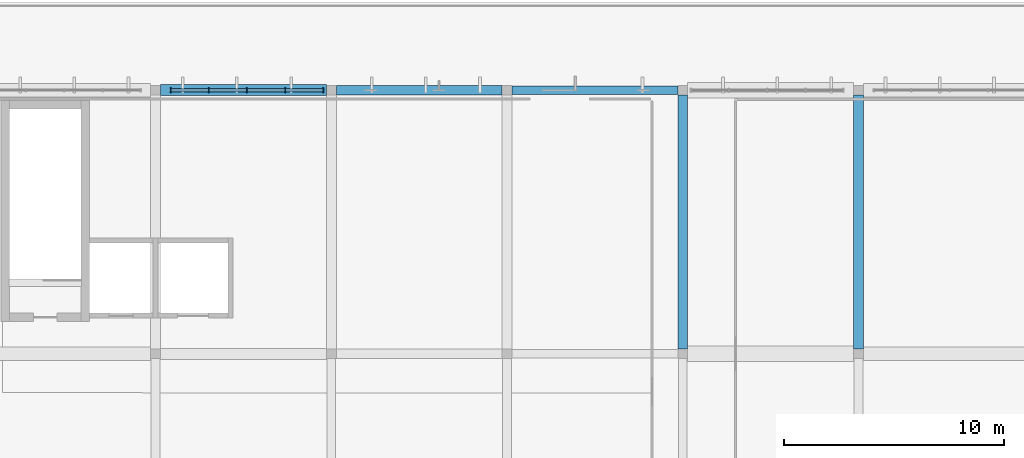
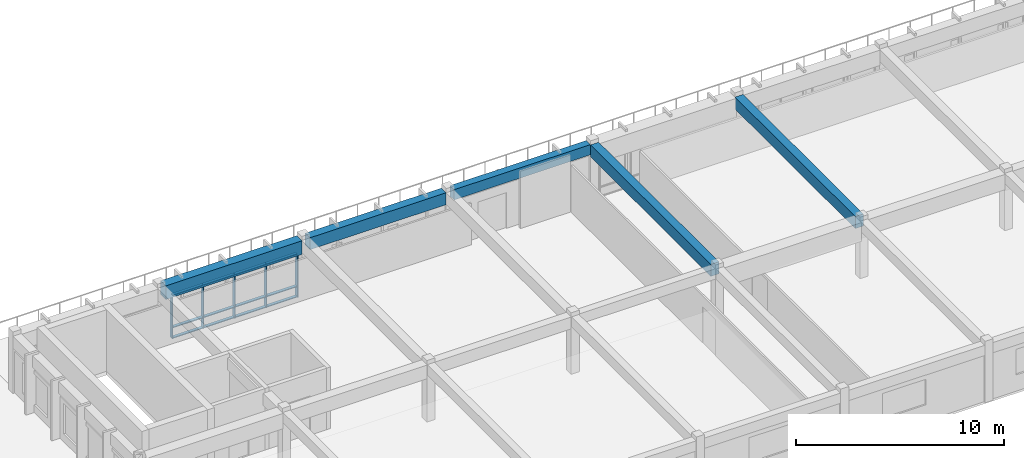
# One storey, part 20 of 77: 17 members, 5 beams, 1 element without a shape of its own.
"""IFC4 building model written with IfcOpenShell, lengths in metres."""

from ifc_helpers import new_model, si_unit, direction, frame, origin, origin_2d, place, context, subcontext, project, spatial, rectangle, extrude, material, material_profile, profile_set, type_object, element, aggregate, save


model = new_model("IFC4")

# Units and contexts
model_context = context("Model", 3, precision=1e-05, world=origin(), true_north=direction((0.0, 1.0)))
body_context = subcontext(model_context, "Body", "Model", "MODEL_VIEW")
ifc_project = project(units=[si_unit("LENGTHUNIT", "METRE"), si_unit("AREAUNIT", "SQUARE_METRE"), si_unit("VOLUMEUNIT", "CUBIC_METRE"), si_unit("PLANEANGLEUNIT", "RADIAN"), si_unit("MASSUNIT", "GRAM", prefix="KILO")], contexts=[model_context])

# Site, building, storey
site_placement = place(None, origin())
site = spatial("IfcSite", under=ifc_project, at=site_placement, CompositionType="ELEMENT")
building_placement = place(site_placement, origin())
building = spatial("IfcBuilding", under=site, at=building_placement, Name="Larkveld Mobility Hub", CompositionType="ELEMENT")
storey_placement = place(building_placement, frame((0.0, 0.0, 12.0)))
storey = spatial("IfcBuildingStorey", under=building, at=storey_placement, Name="L03", CompositionType="ELEMENT", Elevation=12.0)

# Beams
ifc_material_1 = material(Name="Concrete C40/50", Category="concrete")
ifc_material_profile_1 = material_profile(ifc_material_1, rectangle(XDim=0.39990234375, YDim=0.60009765625, at=origin_2d()), Name="RC BM 400x600")
ifc_profile_set_1 = profile_set([ifc_material_profile_1], Name="Concrete C40/50")
beam_type_1 = type_object("IfcBeamType", Name="BM-RC4060", PredefinedType="BEAM", material=ifc_profile_set_1)
beam_1_placement = place(storey_placement, frame((48.22509765625, 122.0, 3.06005859375), z_axis=(1.0, 0.0, 0.0), x_axis=(0.0, 1.0, 0.0)))
element("IfcBeam", 1, at=beam_1_placement, inside=storey, type_object=beam_type_1, Name="Primary E-W Girder L03-0766", PredefinedType="BEAM", context=body_context, shape_type="SweptSolid", body=[
    extrude(rectangle(XDim=0.39990234375, YDim=0.60009765625, at=origin_2d()), origin(), (0.0, 0.0, 1.0), 7.5498046875),
])
ifc_material_profile_2 = material_profile(ifc_material_1, rectangle(XDim=0.449951171875, YDim=0.699951171875, at=origin_2d()), Name="RC BM 450x700")
ifc_profile_set_2 = profile_set([ifc_material_profile_2], Name="Concrete C40/50")
beam_type_2 = type_object("IfcBeamType", Name="BM-RC4570", PredefinedType="BEAM", material=ifc_profile_set_2)
beam_2_placement = place(storey_placement, frame((40.22509765625, 122.0, 3.010009765625), z_axis=(1.0, 0.0, 0.0), x_axis=(0.0, 1.0, 0.0)))
element("IfcBeam", 2, at=beam_2_placement, inside=storey, type_object=beam_type_2, Name="Primary E-W Girder L03-0765", PredefinedType="BEAM", context=body_context, shape_type="SweptSolid", body=[
    extrude(rectangle(XDim=0.449951171875, YDim=0.699951171875, at=origin_2d()), origin(), (0.0, 0.0, 1.0), 7.5498046875),
])
for number, where, z_axis, x_axis, name in (
    (3, (56.0, 110.22509765625, 3.010009765625), (0.0, 1.0, 0.0), (-1.0, 0.0, 0.0), "Primary N-S Girder L03-0780"),
    (4, (64.0, 110.22509765625, 3.010009765625), (0.0, 1.0, 0.0), (-1.0, 0.0, 0.0), "Primary N-S Girder L03-0782"),
):
    element("IfcBeam", number, at=place(storey_placement, frame(where, z_axis=z_axis, x_axis=x_axis)), inside=storey, type_object=beam_type_2, Name=name, PredefinedType="BEAM", context=body_context, shape_type="SweptSolid", body=[
        extrude(rectangle(XDim=0.449951171875, YDim=0.699951171875, at=origin_2d()), origin(), (0.0, 0.0, 1.0), 11.5498046875),
    ])
ifc_material_profile_3 = material_profile(ifc_material_1, rectangle(XDim=0.5, YDim=0.800048828125, at=origin_2d()), Name="RC BM 500x800")
ifc_profile_set_3 = profile_set([ifc_material_profile_3], Name="Concrete C40/50")
beam_type_3 = type_object("IfcBeamType", Name="BM-RC5080", PredefinedType="BEAM", material=ifc_profile_set_3)
beam_3_placement = place(storey_placement, frame((32.22509765625, 122.0, 2.9599609375), z_axis=(1.0, 0.0, 0.0), x_axis=(0.0, 1.0, 0.0)))
element("IfcBeam", 5, at=beam_3_placement, inside=storey, type_object=beam_type_3, Name="Primary E-W Girder L03-0764", PredefinedType="BEAM", context=body_context, shape_type="SweptSolid", body=[
    extrude(rectangle(XDim=0.5, YDim=0.800048828125, at=origin_2d()), origin(), (0.0, 0.0, 1.0), 7.5498046875),
])

# Curtain wall, members
ifc_material_2 = material(Name="Anodised aluminium 6063-T6", Category="aluminium")
curtain_wall_type = type_object("IfcCurtainWallType", Name="CW-SYS-03", PredefinedType="NOTDEFINED", material=ifc_material_2)
curtain_wall_placement = place(storey_placement, origin())
curtain_wall = element("IfcCurtainWall", 6, at=curtain_wall_placement, inside=storey, type_object=curtain_wall_type, Name="Bicycle Hall North Curtain Wall L03 CW-087", PredefinedType="NOTDEFINED")
ifc_material_profile_4 = material_profile(ifc_material_2, rectangle(XDim=0.050048828125, YDim=0.2099609375, at=origin_2d()), Name="ALU MULL 50x210")
ifc_profile_set_4 = profile_set([ifc_material_profile_4], Name="Anodised aluminium 6063-T6")
member_type_1 = type_object("IfcMemberType", Name="CW-MUL-03", PredefinedType="MULLION", material=ifc_profile_set_4)
member_1_placement = place(storey_placement, frame((39.625, 122.0, -0.001953125), z_axis=(0.0, 0.0, 1.0), x_axis=(-1.0, 0.0, 0.0)))
member_1 = element("IfcMember", 7, at=member_1_placement, type_object=member_type_1, Name="CW03 mullion 1", PredefinedType="MULLION", context=body_context, shape_type="SweptSolid", body=[
    extrude(rectangle(XDim=0.050048828125, YDim=0.2099609375, at=origin_2d()), origin(), (0.0, 0.0, 1.0), 2.56201171875),
])
member_2_placement = place(storey_placement, frame((37.904052734375, 122.0, -0.001953125), z_axis=(0.0, 0.0, 1.0), x_axis=(-1.0, 0.0, 0.0)))
member_2 = element("IfcMember", 8, at=member_2_placement, type_object=member_type_1, Name="CW03 mullion 2", PredefinedType="MULLION", context=body_context, shape_type="SweptSolid", body=[
    extrude(rectangle(XDim=0.050048828125, YDim=0.2099609375, at=origin_2d()), origin(), (0.0, 0.0, 1.0), 2.56201171875),
])
member_3_placement = place(storey_placement, frame((36.156982421875, 122.0, -0.001953125), z_axis=(0.0, 0.0, 1.0), x_axis=(-1.0, 0.0, 0.0)))
member_3 = element("IfcMember", 9, at=member_3_placement, type_object=member_type_1, Name="CW03 mullion 3", PredefinedType="MULLION", context=body_context, shape_type="SweptSolid", body=[
    extrude(rectangle(XDim=0.050048828125, YDim=0.2099609375, at=origin_2d()), origin(), (0.0, 0.0, 1.0), 2.56201171875),
])
member_4_placement = place(storey_placement, frame((34.410888671875, 122.0, -0.001953125), z_axis=(0.0, 0.0, 1.0), x_axis=(-1.0, 0.0, 0.0)))
member_4 = element("IfcMember", 10, at=member_4_placement, type_object=member_type_1, Name="CW03 mullion 4", PredefinedType="MULLION", context=body_context, shape_type="SweptSolid", body=[
    extrude(rectangle(XDim=0.050048828125, YDim=0.2099609375, at=origin_2d()), origin(), (0.0, 0.0, 1.0), 2.56201171875),
])
member_5_placement = place(storey_placement, frame((32.68994140625, 122.0, -0.001953125), z_axis=(0.0, 0.0, 1.0), x_axis=(-1.0, 0.0, 0.0)))
member_5 = element("IfcMember", 11, at=member_5_placement, type_object=member_type_1, Name="CW03 mullion 5", PredefinedType="MULLION", context=body_context, shape_type="SweptSolid", body=[
    extrude(rectangle(XDim=0.050048828125, YDim=0.2099609375, at=origin_2d()), origin(), (0.0, 0.0, 1.0), 2.56201171875),
])
ifc_material_profile_5 = material_profile(ifc_material_2, rectangle(XDim=0.169921875, YDim=0.050048828125, at=origin_2d()), Name="ALU TRAN 50x170")
ifc_profile_set_5 = profile_set([ifc_material_profile_5], Name="Anodised aluminium 6063-T6")
member_type_2 = type_object("IfcMemberType", Name="CW-TRN-03", PredefinedType="USERDEFINED", material=ifc_profile_set_5)
member_6_placement = place(storey_placement, frame((39.614990234375, 122.0, 0.030029296875), z_axis=(-1.0, 0.0, 0.0), x_axis=(0.0, -1.0, 0.0)))
member_6 = element("IfcMember", 12, at=member_6_placement, type_object=member_type_2, Name="CW03 transom 1.1", ObjectType="TRANSOM", PredefinedType="USERDEFINED", context=body_context, shape_type="SweptSolid", body=[
    extrude(rectangle(XDim=0.169921875, YDim=0.050048828125, at=origin_2d()), origin(), (0.0, 0.0, 1.0), 1.696044921875),
])
member_7_placement = place(storey_placement, frame((39.614990234375, 122.0, 0.638916015625), z_axis=(-1.0, 0.0, 0.0), x_axis=(0.0, -1.0, 0.0)))
member_7 = element("IfcMember", 13, at=member_7_placement, type_object=member_type_2, Name="CW03 transom 1.2", ObjectType="TRANSOM", PredefinedType="USERDEFINED", context=body_context, shape_type="SweptSolid", body=[
    extrude(rectangle(XDim=0.169921875, YDim=0.050048828125, at=origin_2d()), origin(), (0.0, 0.0, 1.0), 1.696044921875),
])
member_8_placement = place(storey_placement, frame((39.614990234375, 122.0, 2.528076171875), z_axis=(-1.0, 0.0, 0.0), x_axis=(0.0, -1.0, 0.0)))
member_8 = element("IfcMember", 14, at=member_8_placement, type_object=member_type_2, Name="CW03 transom 1.3", ObjectType="TRANSOM", PredefinedType="USERDEFINED", context=body_context, shape_type="SweptSolid", body=[
    extrude(rectangle(XDim=0.169921875, YDim=0.050048828125, at=origin_2d()), origin(), (0.0, 0.0, 1.0), 1.696044921875),
])
member_9_placement = place(storey_placement, frame((37.888916015625, 122.0, 0.030029296875), z_axis=(-1.0, 0.0, 0.0), x_axis=(0.0, -1.0, 0.0)))
member_9 = element("IfcMember", 15, at=member_9_placement, type_object=member_type_2, Name="CW03 transom 2.1", ObjectType="TRANSOM", PredefinedType="USERDEFINED", context=body_context, shape_type="SweptSolid", body=[
    extrude(rectangle(XDim=0.169921875, YDim=0.050048828125, at=origin_2d()), origin(), (0.0, 0.0, 1.0), 1.716796875),
])
member_10_placement = place(storey_placement, frame((37.888916015625, 122.0, 0.638916015625), z_axis=(-1.0, 0.0, 0.0), x_axis=(0.0, -1.0, 0.0)))
member_10 = element("IfcMember", 16, at=member_10_placement, type_object=member_type_2, Name="CW03 transom 2.2", ObjectType="TRANSOM", PredefinedType="USERDEFINED", context=body_context, shape_type="SweptSolid", body=[
    extrude(rectangle(XDim=0.169921875, YDim=0.050048828125, at=origin_2d()), origin(), (0.0, 0.0, 1.0), 1.716796875),
])
member_11_placement = place(storey_placement, frame((37.888916015625, 122.0, 2.528076171875), z_axis=(-1.0, 0.0, 0.0), x_axis=(0.0, -1.0, 0.0)))
member_11 = element("IfcMember", 17, at=member_11_placement, type_object=member_type_2, Name="CW03 transom 2.3", ObjectType="TRANSOM", PredefinedType="USERDEFINED", context=body_context, shape_type="SweptSolid", body=[
    extrude(rectangle(XDim=0.169921875, YDim=0.050048828125, at=origin_2d()), origin(), (0.0, 0.0, 1.0), 1.716796875),
])
member_12_placement = place(storey_placement, frame((36.14208984375, 122.0, 0.030029296875), z_axis=(-1.0, 0.0, 0.0), x_axis=(0.0, -1.0, 0.0)))
member_12 = element("IfcMember", 18, at=member_12_placement, type_object=member_type_2, Name="CW03 transom 3.1", ObjectType="TRANSOM", PredefinedType="USERDEFINED", context=body_context, shape_type="SweptSolid", body=[
    extrude(rectangle(XDim=0.169921875, YDim=0.050048828125, at=origin_2d()), origin(), (0.0, 0.0, 1.0), 1.716064453125),
])
member_13_placement = place(storey_placement, frame((36.14208984375, 122.0, 0.638916015625), z_axis=(-1.0, 0.0, 0.0), x_axis=(0.0, -1.0, 0.0)))
member_13 = element("IfcMember", 19, at=member_13_placement, type_object=member_type_2, Name="CW03 transom 3.2", ObjectType="TRANSOM", PredefinedType="USERDEFINED", context=body_context, shape_type="SweptSolid", body=[
    extrude(rectangle(XDim=0.169921875, YDim=0.050048828125, at=origin_2d()), origin(), (0.0, 0.0, 1.0), 1.716064453125),
])
member_14_placement = place(storey_placement, frame((36.14208984375, 122.0, 2.528076171875), z_axis=(-1.0, 0.0, 0.0), x_axis=(0.0, -1.0, 0.0)))
member_14 = element("IfcMember", 20, at=member_14_placement, type_object=member_type_2, Name="CW03 transom 3.3", ObjectType="TRANSOM", PredefinedType="USERDEFINED", context=body_context, shape_type="SweptSolid", body=[
    extrude(rectangle(XDim=0.169921875, YDim=0.050048828125, at=origin_2d()), origin(), (0.0, 0.0, 1.0), 1.716064453125),
])
member_15_placement = place(storey_placement, frame((34.39599609375, 122.0, 0.030029296875), z_axis=(-1.0, 0.0, 0.0), x_axis=(0.0, -1.0, 0.0)))
member_15 = element("IfcMember", 21, at=member_15_placement, type_object=member_type_2, Name="CW03 transom 4.1", ObjectType="TRANSOM", PredefinedType="USERDEFINED", context=body_context, shape_type="SweptSolid", body=[
    extrude(rectangle(XDim=0.169921875, YDim=0.050048828125, at=origin_2d()), origin(), (0.0, 0.0, 1.0), 1.696044921875),
])
member_16_placement = place(storey_placement, frame((34.39599609375, 122.0, 0.638916015625), z_axis=(-1.0, 0.0, 0.0), x_axis=(0.0, -1.0, 0.0)))
member_16 = element("IfcMember", 22, at=member_16_placement, type_object=member_type_2, Name="CW03 transom 4.2", ObjectType="TRANSOM", PredefinedType="USERDEFINED", context=body_context, shape_type="SweptSolid", body=[
    extrude(rectangle(XDim=0.169921875, YDim=0.050048828125, at=origin_2d()), origin(), (0.0, 0.0, 1.0), 1.696044921875),
])
member_17_placement = place(storey_placement, frame((34.39599609375, 122.0, 2.528076171875), z_axis=(-1.0, 0.0, 0.0), x_axis=(0.0, -1.0, 0.0)))
member_17 = element("IfcMember", 23, at=member_17_placement, type_object=member_type_2, Name="CW03 transom 4.3", ObjectType="TRANSOM", PredefinedType="USERDEFINED", context=body_context, shape_type="SweptSolid", body=[
    extrude(rectangle(XDim=0.169921875, YDim=0.050048828125, at=origin_2d()), origin(), (0.0, 0.0, 1.0), 1.696044921875),
])
aggregate(curtain_wall, [member_1, member_2, member_3, member_4, member_5, member_6, member_7, member_8, member_9, member_10, member_11, member_12, member_13, member_14, member_15, member_16, member_17])

save(model, "model.ifc")
